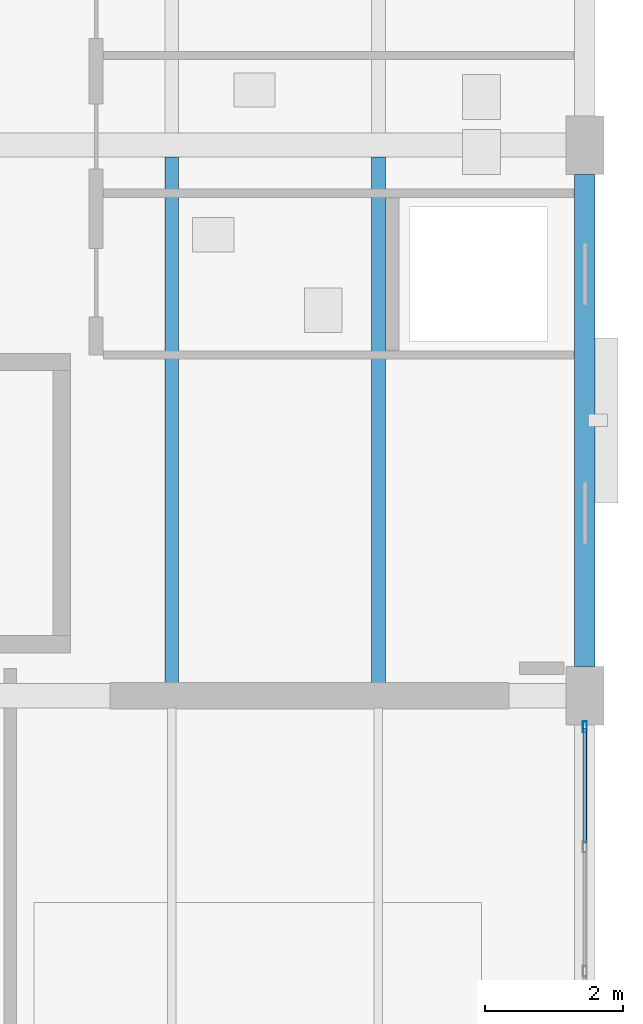
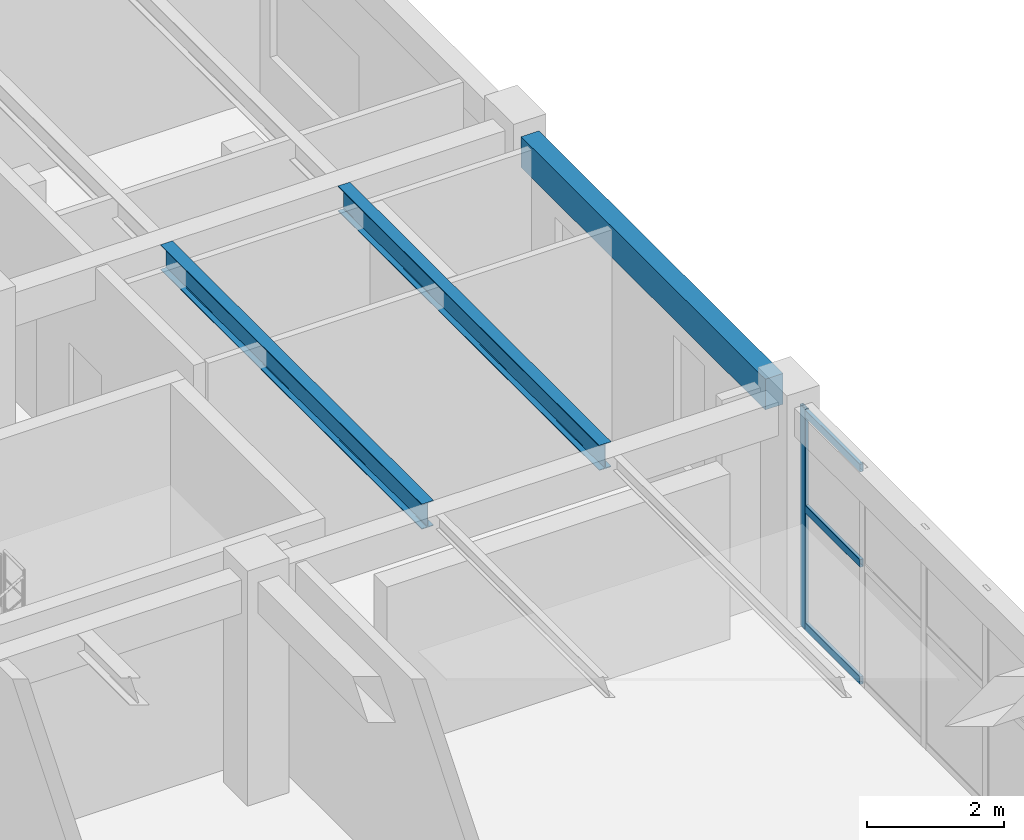
# One storey, part 34 of 71: 4 members, 3 beams, 1 element without a shape of its own.
"""IFC4 building model written with IfcOpenShell, lengths in metres."""

from ifc_helpers import new_model, si_unit, derived_unit, direction, frame, origin, origin_2d, place, context, subcontext, project, spatial, rectangle, hollow_rectangle, i_section, extrude, material, material_profile, profile_set, type_object, element, aggregate, save


model = new_model("IFC4")

# Units and contexts
model_context = context("Model", 3, precision=1e-05, world=origin(), true_north=direction((0.0, 1.0)))
body_context = subcontext(model_context, "Body", "Model", "MODEL_VIEW")
ifc_project = project(units=[si_unit("LENGTHUNIT", "METRE"), si_unit("AREAUNIT", "SQUARE_METRE"), si_unit("VOLUMEUNIT", "CUBIC_METRE"), si_unit("PLANEANGLEUNIT", "RADIAN"), si_unit("MASSUNIT", "GRAM", prefix="KILO"), derived_unit("THERMALTRANSMITTANCEUNIT", [(si_unit("MASSUNIT", "GRAM", prefix="KILO"), 1), (si_unit("TIMEUNIT", "SECOND"), -3), (si_unit("THERMODYNAMICTEMPERATUREUNIT", "KELVIN"), -1)])], contexts=[model_context])

# Site, building, storey
site_placement = place(None, origin())
site = spatial("IfcSite", under=ifc_project, at=site_placement, CompositionType="ELEMENT")
building_placement = place(site_placement, origin())
building = spatial("IfcBuilding", under=site, at=building_placement, Name="Zhenchuan Archway Interchange", CompositionType="ELEMENT")
storey_placement = place(building_placement, frame((0.0, 0.0, 18.60009765625)))
storey = spatial("IfcBuildingStorey", under=building, at=storey_placement, Name="L04", CompositionType="ELEMENT", Elevation=18.60009765625)

# Curtain wall, members
ifc_material_1 = material(Name="Anodised Aluminium", Category="aluminium")
curtain_wall_type = type_object("IfcCurtainWallType", Name="CW_UNIT_2", PredefinedType="NOTDEFINED", material=ifc_material_1)
curtain_wall_placement = place(storey_placement, origin())
curtain_wall = element("IfcCurtainWall", 1, at=curtain_wall_placement, inside=storey, type_object=curtain_wall_type, Name="Unitised curtain wall CW:L04:197", PredefinedType="NOTDEFINED")
ifc_material_profile_1 = material_profile(ifc_material_1, hollow_rectangle(XDim=0.06005859375, YDim=0.159912109375, WallThickness=0.00390625, InnerFilletRadius=0.00390625, OuterFilletRadius=0.008056640625, at=origin_2d()), Name="ALU 160x60x4")
ifc_profile_set_1 = profile_set([ifc_material_profile_1], Name="Anodised Aluminium")
member_type_1 = type_object("IfcMemberType", Name="CW_MUL_150", PredefinedType="MULLION", material=ifc_profile_set_1)
member_1_placement = place(storey_placement, frame((171.0, 47.547119140625, 0.0), z_axis=(0.0, 0.0, 1.0), x_axis=(1.0, 0.0, 0.0)))
member_1 = element("IfcMember", 2, at=member_1_placement, type_object=member_type_1, Name="CW:L04:197 mullion 0", PredefinedType="MULLION", context=body_context, shape_type="SweptSolid", body=[
    extrude(hollow_rectangle(XDim=0.06005859375, YDim=0.159912109375, WallThickness=0.00390625, InnerFilletRadius=0.00390625, OuterFilletRadius=0.008056640625, at=origin_2d()), origin(), (0.0, 0.0, 1.0), 3.93994140625),
])
ifc_material_profile_2 = material_profile(ifc_material_1, hollow_rectangle(XDim=0.06005859375, YDim=0.139892578125, WallThickness=0.00341796875, InnerFilletRadius=0.00341796875, OuterFilletRadius=0.007080078125, at=origin_2d()), Name="ALU 140x60x3.5")
ifc_profile_set_2 = profile_set([ifc_material_profile_2], Name="Anodised Aluminium")
member_type_2 = type_object("IfcMemberType", Name="CW_TRN_140", PredefinedType="USERDEFINED", material=ifc_profile_set_2)
member_2_placement = place(storey_placement, frame((171.0, 47.527099609375, 0.059814453125), z_axis=(0.0, -1.0, 0.0), x_axis=(1.0, 0.0, 0.0)))
member_2 = element("IfcMember", 3, at=member_2_placement, type_object=member_type_2, Name="CW:L04:197 transom 0-1", ObjectType="TRANSOM", PredefinedType="USERDEFINED", context=body_context, shape_type="SweptSolid", body=[
    extrude(hollow_rectangle(XDim=0.06005859375, YDim=0.139892578125, WallThickness=0.00341796875, InnerFilletRadius=0.00341796875, OuterFilletRadius=0.007080078125, at=origin_2d()), origin(), (0.0, 0.0, 1.0), 1.66357421875),
])
member_3_placement = place(storey_placement, frame((171.0, 47.527099609375, 2.156005859375), z_axis=(0.0, -1.0, 0.0), x_axis=(1.0, 0.0, 0.0)))
member_3 = element("IfcMember", 4, at=member_3_placement, type_object=member_type_2, Name="CW:L04:197 transom 0-2", ObjectType="TRANSOM", PredefinedType="USERDEFINED", context=body_context, shape_type="SweptSolid", body=[
    extrude(hollow_rectangle(XDim=0.06005859375, YDim=0.139892578125, WallThickness=0.00341796875, InnerFilletRadius=0.00341796875, OuterFilletRadius=0.007080078125, at=origin_2d()), origin(), (0.0, 0.0, 1.0), 1.66357421875),
])
member_4_placement = place(storey_placement, frame((171.0, 47.527099609375, 3.85986328125), z_axis=(0.0, -1.0, 0.0), x_axis=(1.0, 0.0, 0.0)))
member_4 = element("IfcMember", 5, at=member_4_placement, type_object=member_type_2, Name="CW:L04:197 transom 0-3", ObjectType="TRANSOM", PredefinedType="USERDEFINED", context=body_context, shape_type="SweptSolid", body=[
    extrude(hollow_rectangle(XDim=0.06005859375, YDim=0.139892578125, WallThickness=0.00341796875, InnerFilletRadius=0.00341796875, OuterFilletRadius=0.007080078125, at=origin_2d()), origin(), (0.0, 0.0, 1.0), 1.66357421875),
])
aggregate(curtain_wall, [member_1, member_2, member_3, member_4])

# Beams
ifc_material_2 = material(Name="Steel Q355", Category="steel")
ifc_material_profile_3 = material_profile(ifc_material_2, i_section(OverallWidth=0.199951171875, OverallDepth=0.449951171875, WebThickness=0.009033203125, FlangeThickness=0.013916015625, FilletRadius=0.01806640625, at=origin_2d()), Name="HN 450x200")
ifc_profile_set_3 = profile_set([ifc_material_profile_3], Name="Steel Q355")
beam_type_1 = type_object("IfcBeamType", Name="JST_STL_HN450", PredefinedType="JOIST", material=ifc_profile_set_3)
for number, where, z_axis, x_axis, name in (
    (6, (165.0, 48.175048828125, 3.71484375), (0.0, 1.0, 0.0), (-1.0, 0.0, 0.0), "Secondary joist 19-20/G-H #1 (L04)"),
    (7, (168.0, 48.175048828125, 3.71484375), (0.0, 1.0, 0.0), (-1.0, 0.0, 0.0), "Secondary joist 19-20/G-H #2 (L04)"),
):
    element("IfcBeam", number, at=place(storey_placement, frame(where, z_axis=z_axis, x_axis=x_axis)), inside=storey, type_object=beam_type_1, Name=name, PredefinedType="JOIST", context=body_context, shape_type="SweptSolid", body=[
        extrude(i_section(OverallWidth=0.199951171875, OverallDepth=0.449951171875, WebThickness=0.009033203125, FlangeThickness=0.013916015625, FilletRadius=0.01806640625, at=origin_2d()), origin(), (0.0, 0.0, 1.0), 7.64990234375),
    ])
ifc_material_3 = material(Name="Concrete C40", Category="concrete")
ifc_material_profile_4 = material_profile(ifc_material_3, rectangle(XDim=0.300048828125, YDim=0.550048828125, at=origin_2d()), Name="RC 300x550")
ifc_profile_set_4 = profile_set([ifc_material_profile_4], Name="Concrete C40")
beam_type_2 = type_object("IfcBeamType", Name="SP_RC_300x550", PredefinedType="SPANDREL", material=ifc_profile_set_4)
beam_placement = place(storey_placement, frame((171.0, 48.425048828125, 3.664794921875), z_axis=(0.0, 1.0, 0.0), x_axis=(-1.0, 0.0, 0.0)))
element("IfcBeam", 8, at=beam_placement, inside=storey, type_object=beam_type_2, Name="Beam 20:G-H (L04)", PredefinedType="SPANDREL", context=body_context, shape_type="SweptSolid", body=[
    extrude(rectangle(XDim=0.300048828125, YDim=0.550048828125, at=origin_2d()), origin(), (0.0, 0.0, 1.0), 7.14990234375),
])

save(model, "model.ifc")
